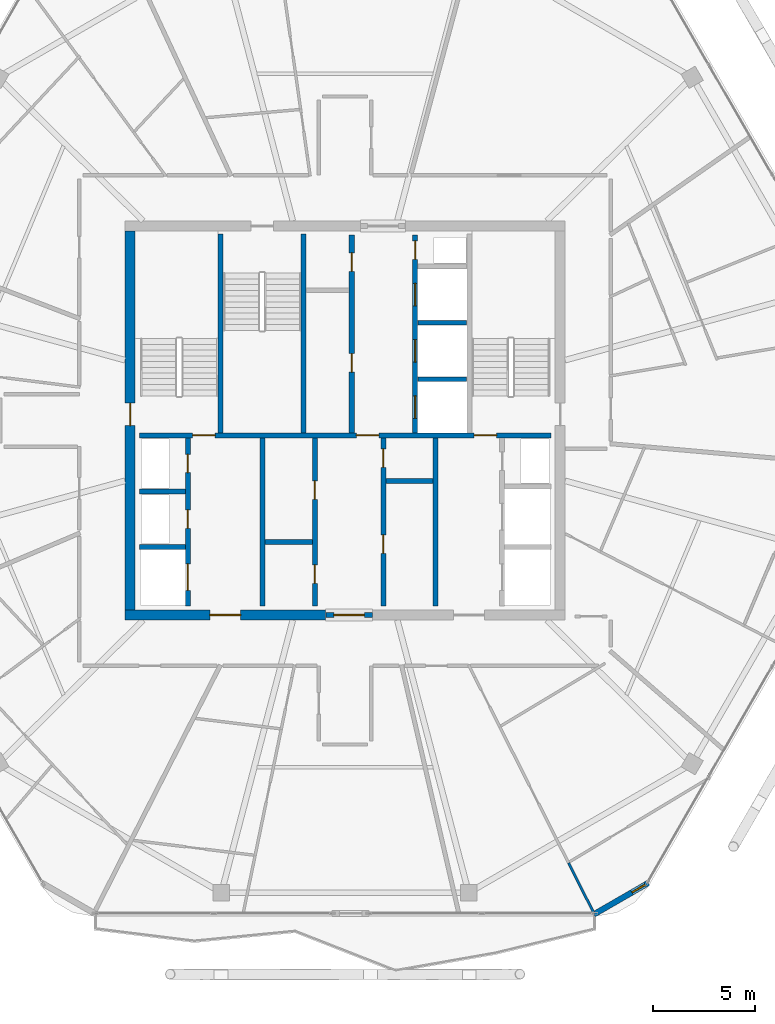
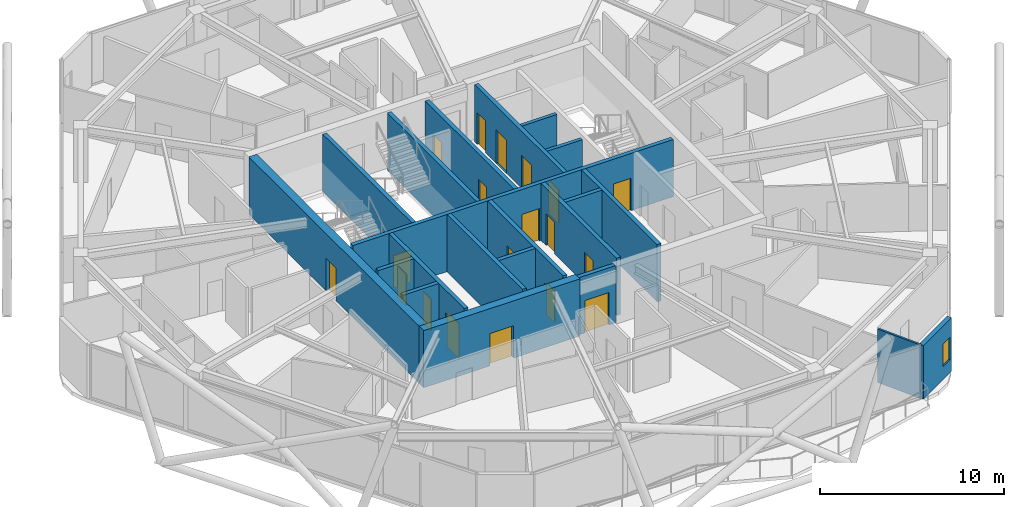
# One storey, part 18 of 23: 21 walls, 19 doors, 1 window, 20 openings.
"""IFC4 building model written with IfcOpenShell, lengths in metres."""

from ifc_helpers import new_model, si_unit, direction, frame, frame_2d, origin, place, context, subcontext, project, spatial, rectangle, extrude, material, layer, layer_set, type_object, element, fill, save


model = new_model("IFC4")

# Units and contexts
model_context = context("Model", 3, precision=1e-05, world=origin(), true_north=direction((0.0, 1.0)))
body_context = subcontext(model_context, "Body", "Model", "MODEL_VIEW")
ifc_project = project(units=[si_unit("LENGTHUNIT", "METRE"), si_unit("AREAUNIT", "SQUARE_METRE"), si_unit("VOLUMEUNIT", "CUBIC_METRE"), si_unit("PLANEANGLEUNIT", "RADIAN"), si_unit("MASSUNIT", "GRAM", prefix="KILO")], contexts=[model_context])

# Site, building, storey
site_placement = place(None, origin())
site = spatial("IfcSite", under=ifc_project, at=site_placement, CompositionType="ELEMENT")
building_placement = place(site_placement, origin())
building = spatial("IfcBuilding", under=site, at=building_placement, Name="Zuhravey Tower", CompositionType="ELEMENT")
storey_placement = place(building_placement, frame((0.0, 0.0, 323.39990234375)))
storey = spatial("IfcBuildingStorey", under=building, at=storey_placement, Name="L82", CompositionType="ELEMENT", Elevation=323.39990234375)

# Wall, opening, door
ifc_material_1 = material(Name="Concrete C50/60", Category="concrete")
ifc_layer_1 = layer(ifc_material_1, 0.5)
ifc_layer_set_1 = layer_set([ifc_layer_1], Name="Concrete C50/60")
wall_type_1 = type_object("IfcWallType", Name="Core Shear Wall 500", PredefinedType="SHEAR", material=ifc_layer_set_1)
wall_1_placement = place(storey_placement, frame((25.25, 22.5, 0.0), z_axis=(0.0, 0.0, 1.0), x_axis=(1.0, 0.0, 0.0)))
wall_1 = element("IfcWall", 1, at=wall_1_placement, inside=storey, type_object=wall_type_1, Name="L82 South-West Core Shear Wall CW50", PredefinedType="SHEAR", context=body_context, shape_type="SweptSolid", body=[
    extrude(rectangle(XDim=9.800048828125, YDim=0.5, at=frame_2d((4.89990234375, 0.0))), origin(), (0.0, 0.0, 1.0), 3.800048828125),
])
opening_1_placement = place(wall_1_placement, frame((4.14990234375, 0.0, 0.0)))
opening_1 = element("IfcOpeningElement", 2, at=opening_1_placement, cuts=wall_1, Name="Opening FFD1", PredefinedType="OPENING", context=body_context, shape_type="SweptSolid", body=[
    extrude(rectangle(XDim=1.5, YDim=2.14990234375, at=frame_2d((0.75, 1.074951171875))), frame((0.0, 0.261962890625, 0.0), z_axis=(0.0, -1.0, 0.0), x_axis=(1.0, 0.0, 0.0)), (0.0, 0.0, 1.0), 0.52392578125),
])
ifc_material_2 = material(Name="Galvanised fire-rated steel leaf", Category="steel")
door_type_1 = type_object("IfcDoorType", Name="Firefighting Lobby Double Door 1500x2150", OperationType="DOUBLE_DOOR_SINGLE_SWING", PredefinedType="DOOR", material=ifc_material_2)
door_1_placement = place(opening_1_placement, origin())
door_1 = element("IfcDoor", 3, at=door_1_placement, inside=storey, type_object=door_type_1, Name="L82 Firefighting Lobby West Door", OperationType="DOUBLE_DOOR_SINGLE_SWING", OverallHeight=2.14990234375, OverallWidth=1.5, PredefinedType="DOOR", context=body_context, shape_type="SweptSolid", body=[
    extrude(rectangle(XDim=1.5, YDim=2.14990234375, at=frame_2d((0.75, 1.074951171875))), frame((0.0, 0.02490234375, 0.0), z_axis=(0.0, -1.0, 0.0), x_axis=(1.0, 0.0, 0.0)), (0.0, 0.0, 1.0), 0.050048828125),
])
fill(opening_1, door_1)

wall_2_placement = place(storey_placement, frame((25.5, 22.75, 0.0), z_axis=(0.0, 0.0, 1.0), x_axis=(0.0, 1.0, 0.0)))
wall_2 = element("IfcWall", 4, at=wall_2_placement, inside=storey, type_object=wall_type_1, Name="L82 West Core Shear Wall CW50", PredefinedType="SHEAR", context=body_context, shape_type="SweptSolid", body=[
    extrude(rectangle(XDim=18.5, YDim=0.5, at=frame_2d((9.25, 0.0))), origin(), (0.0, 0.0, 1.0), 3.800048828125),
])
opening_2_placement = place(wall_2_placement, frame((9.0, 0.0, 0.0)))
opening_2 = element("IfcOpeningElement", 5, at=opening_2_placement, cuts=wall_2, Name="Opening STD1", PredefinedType="OPENING", context=body_context, shape_type="SweptSolid", body=[
    extrude(rectangle(XDim=1.10009765625, YDim=2.14990234375, at=frame_2d((0.550048828125, 1.074951171875))), frame((0.0, 0.261962890625, 0.0), z_axis=(0.0, -1.0, 0.0), x_axis=(1.0, 0.0, 0.0)), (0.0, 0.0, 1.0), 0.52392578125),
])
door_type_2 = type_object("IfcDoorType", Name="Protected Stair Fire Door 1100x2150", OperationType="NOTDEFINED", PredefinedType="USERDEFINED", material=ifc_material_2)
door_2_placement = place(opening_2_placement, frame((1.10009765625, 0.0, 0.0), z_axis=(0.0, 0.0, 1.0), x_axis=(-1.0, 0.0, 0.0)))
door_2 = element("IfcDoor", 6, at=door_2_placement, inside=storey, type_object=door_type_2, Name="L82 Stair ST1 Door", ObjectType="EXITDOOR", OperationType="SINGLE_SWING_LEFT", OverallHeight=2.14990234375, OverallWidth=1.10009765625, PredefinedType="USERDEFINED", context=body_context, shape_type="SweptSolid", body=[
    extrude(rectangle(XDim=1.10009765625, YDim=2.14990234375, at=frame_2d((0.550048828125, 1.074951171875))), frame((0.0, 0.02490234375, 0.0), z_axis=(0.0, -1.0, 0.0), x_axis=(1.0, 0.0, 0.0)), (0.0, 0.0, 1.0), 0.050048828125),
])
fill(opening_2, door_2)

# Wall, opening, window
ifc_material_3 = material(Name="Precast concrete C40/50", Category="concrete")
ifc_layer_2 = layer(ifc_material_3, 0.280029296875)
ifc_layer_set_2 = layer_set([ifc_layer_2], Name="Precast concrete C40/50")
wall_type_2 = type_object("IfcWallType", Name="Crown Architectural Wall 280", PredefinedType="SOLIDWALL", material=ifc_layer_set_2)
wall_3_placement = place(storey_placement, frame((50.811279296875, 9.410888671875, 0.0), z_axis=(0.0, 0.0, 1.0), x_axis=(-0.866023752521, -0.50000286006, 0.0)))
wall_3 = element("IfcWall", 7, at=wall_3_placement, inside=storey, type_object=wall_type_2, Name="L82 Rounded Corner Closure Wall EW28-02", PredefinedType="SOLIDWALL", context=body_context, shape_type="SweptSolid", body=[
    extrude(rectangle(XDim=3.06494140625, YDim=0.280029296875, at=frame_2d((1.532470703125, 0.0))), origin(), (0.0, 0.0, 1.0), 3.550048828125),
])
opening_3_placement = place(wall_3_placement, frame((0.1728515625, 0.0, 0.85009765625)))
opening_3 = element("IfcOpeningElement", 8, at=opening_3_placement, cuts=wall_3, Name="Opening WN5", PredefinedType="OPENING", context=body_context, shape_type="SweptSolid", body=[
    extrude(rectangle(XDim=0.75, YDim=1.5, at=frame_2d((0.375, 0.75))), frame((0.0, 0.152099609375, 0.0), z_axis=(0.0, -1.0, 0.0), x_axis=(1.0, 0.0, 0.0)), (0.0, 0.0, 1.0), 0.303955078125),
])
ifc_material_4 = material(Name="Thermally broken aluminium and triple low-E glass", Category="aluminium")
window_type = type_object("IfcWindowType", Name="Residential Corner Casement Window 750x1500", PartitioningType="SINGLE_PANEL", PredefinedType="WINDOW", material=ifc_material_4)
window_placement = place(opening_3_placement, origin())
window = element("IfcWindow", 9, at=window_placement, inside=storey, type_object=window_type, Name="L82 Corner Casement Window WN5-02.1", OverallHeight=1.5, OverallWidth=0.75, PartitioningType="SINGLE_PANEL", PredefinedType="WINDOW", context=body_context, shape_type="SweptSolid", body=[
    extrude(rectangle(XDim=0.75, YDim=1.5, at=frame_2d((0.375, 0.75))), frame((0.0, 0.030029296875, 0.0), z_axis=(0.0, -1.0, 0.0), x_axis=(1.0, 0.0, 0.0)), (0.0, 0.0, 1.0), 0.06005859375),
])
fill(opening_3, window)

# Wall, opening, door
ifc_layer_3 = layer(ifc_material_1, 0.25)
ifc_layer_set_3 = layer_set([ifc_layer_3], Name="Concrete C50/60")
wall_type_3 = type_object("IfcWallType", Name="Firefighting Shaft & Stair Wall 250", PredefinedType="SOLIDWALL", material=ifc_layer_set_3)
wall_4_placement = place(storey_placement, frame((35.06005859375, 22.5, 0.0), z_axis=(0.0, 0.0, 1.0), x_axis=(1.0, 0.0, 0.0)))
wall_4 = element("IfcWall", 10, at=wall_4_placement, inside=storey, type_object=wall_type_3, Name="L82 FW25 Shaft Wall 001", PredefinedType="SOLIDWALL", context=body_context, shape_type="SweptSolid", body=[
    extrude(rectangle(XDim=2.280029296875, YDim=0.25, at=frame_2d((1.14013671875, 0.0))), origin(), (0.0, 0.0, 1.0), 3.800048828125),
])
opening_4_placement = place(wall_4_placement, frame((0.389892578125, 0.0, 0.0)))
opening_4 = element("IfcOpeningElement", 11, at=opening_4_placement, cuts=wall_4, Name="Opening FFD1", PredefinedType="OPENING", context=body_context, shape_type="SweptSolid", body=[
    extrude(rectangle(XDim=1.5, YDim=2.14990234375, at=frame_2d((0.75, 1.074951171875))), frame((0.0, 0.136962890625, 0.0), z_axis=(0.0, -1.0, 0.0), x_axis=(1.0, 0.0, 0.0)), (0.0, 0.0, 1.0), 0.27392578125),
])
door_3_placement = place(opening_4_placement, frame((1.5, 0.0, 0.0), z_axis=(0.0, 0.0, 1.0), x_axis=(-1.0, 0.0, 0.0)))
door_3 = element("IfcDoor", 12, at=door_3_placement, inside=storey, type_object=door_type_1, Name="L82 South Lift Lobby Exit Door", OperationType="DOUBLE_DOOR_SINGLE_SWING", OverallHeight=2.14990234375, OverallWidth=1.5, PredefinedType="DOOR", context=body_context, shape_type="SweptSolid", body=[
    extrude(rectangle(XDim=1.5, YDim=2.14990234375, at=frame_2d((0.75, 1.074951171875))), frame((0.0, 0.02490234375, 0.0), z_axis=(0.0, -1.0, 0.0), x_axis=(1.0, 0.0, 0.0)), (0.0, 0.0, 1.0), 0.050048828125),
])
fill(opening_4, door_3)

# Wall, openings, doors
wall_5_placement = place(storey_placement, frame((25.949951171875, 31.27490234375, 0.0), z_axis=(0.0, 0.0, 1.0), x_axis=(1.0, 0.0, 0.0)))
wall_5 = element("IfcWall", 13, at=wall_5_placement, inside=storey, type_object=wall_type_3, Name="L82 FW25 Shaft Wall 003", PredefinedType="SOLIDWALL", context=body_context, shape_type="SweptSolid", body=[
    extrude(rectangle(XDim=20.10009765625, YDim=0.25, at=frame_2d((10.050048828125, 0.0))), origin(), (0.0, 0.0, 1.0), 3.800048828125),
])
opening_5_placement = place(wall_5_placement, frame((2.60009765625, 0.0, 0.0)))
opening_5 = element("IfcOpeningElement", 14, at=opening_5_placement, cuts=wall_5, Name="Opening STD1", PredefinedType="OPENING", context=body_context, shape_type="SweptSolid", body=[
    extrude(rectangle(XDim=1.10009765625, YDim=2.14990234375, at=frame_2d((0.550048828125, 1.074951171875))), frame((0.0, 0.136962890625, 0.0), z_axis=(0.0, -1.0, 0.0), x_axis=(1.0, 0.0, 0.0)), (0.0, 0.0, 1.0), 0.27392578125),
])
opening_6_placement = place(wall_5_placement, frame((10.60009765625, 0.0, 0.0)))
opening_6 = element("IfcOpeningElement", 15, at=opening_6_placement, cuts=wall_5, Name="Opening STD1", PredefinedType="OPENING", context=body_context, shape_type="SweptSolid", body=[
    extrude(rectangle(XDim=1.10009765625, YDim=2.14990234375, at=frame_2d((0.550048828125, 1.074951171875))), frame((0.0, 0.136962890625, 0.0), z_axis=(0.0, -1.0, 0.0), x_axis=(1.0, 0.0, 0.0)), (0.0, 0.0, 1.0), 0.27392578125),
])
opening_7_placement = place(wall_5_placement, frame((16.35009765625, 0.0, 0.0)))
opening_7 = element("IfcOpeningElement", 16, at=opening_7_placement, cuts=wall_5, Name="Opening STD1", PredefinedType="OPENING", context=body_context, shape_type="SweptSolid", body=[
    extrude(rectangle(XDim=1.10009765625, YDim=2.14990234375, at=frame_2d((0.550048828125, 1.074951171875))), frame((0.0, 0.136962890625, 0.0), z_axis=(0.0, -1.0, 0.0), x_axis=(1.0, 0.0, 0.0)), (0.0, 0.0, 1.0), 0.27392578125),
])
door_4_placement = place(opening_5_placement, origin())
door_4 = element("IfcDoor", 17, at=door_4_placement, inside=storey, type_object=door_type_2, Name="L82 FFL-W to ST1 Door", ObjectType="EXITDOOR", OperationType="SINGLE_SWING_RIGHT", OverallHeight=2.14990234375, OverallWidth=1.10009765625, PredefinedType="USERDEFINED", context=body_context, shape_type="SweptSolid", body=[
    extrude(rectangle(XDim=1.10009765625, YDim=2.14990234375, at=frame_2d((0.550048828125, 1.074951171875))), frame((0.0, 0.02490234375, 0.0), z_axis=(0.0, -1.0, 0.0), x_axis=(1.0, 0.0, 0.0)), (0.0, 0.0, 1.0), 0.050048828125),
])
fill(opening_5, door_4)
door_5_placement = place(opening_6_placement, origin())
door_5 = element("IfcDoor", 18, at=door_5_placement, inside=storey, type_object=door_type_2, Name="L82 Core Lobby Link Door", ObjectType="EXITDOOR", OperationType="SINGLE_SWING_LEFT", OverallHeight=2.14990234375, OverallWidth=1.10009765625, PredefinedType="USERDEFINED", context=body_context, shape_type="SweptSolid", body=[
    extrude(rectangle(XDim=1.10009765625, YDim=2.14990234375, at=frame_2d((0.550048828125, 1.074951171875))), frame((0.0, 0.02490234375, 0.0), z_axis=(0.0, -1.0, 0.0), x_axis=(1.0, 0.0, 0.0)), (0.0, 0.0, 1.0), 0.050048828125),
])
fill(opening_6, door_5)
door_6_placement = place(opening_7_placement, origin())
door_6 = element("IfcDoor", 19, at=door_6_placement, inside=storey, type_object=door_type_2, Name="L82 FFL-E to ST2 Door", ObjectType="EXITDOOR", OperationType="SINGLE_SWING_RIGHT", OverallHeight=2.14990234375, OverallWidth=1.10009765625, PredefinedType="USERDEFINED", context=body_context, shape_type="SweptSolid", body=[
    extrude(rectangle(XDim=1.10009765625, YDim=2.14990234375, at=frame_2d((0.550048828125, 1.074951171875))), frame((0.0, 0.02490234375, 0.0), z_axis=(0.0, -1.0, 0.0), x_axis=(1.0, 0.0, 0.0)), (0.0, 0.0, 1.0), 0.050048828125),
])
fill(opening_7, door_6)

# Walls
for number, where, z_axis, x_axis, name in (
    (20, (29.925048828125, 31.39990234375, 0.0), (0.0, 0.0, 1.0), (0.0, 1.0, 0.0), "L82 FW25 Shaft Wall 004"),
    (21, (33.97509765625, 31.39990234375, 0.0), (0.0, 0.0, 1.0), (0.0, 1.0, 0.0), "L82 FW25 Shaft Wall 005"),
):
    element("IfcWall", number, at=place(storey_placement, frame(where, z_axis=z_axis, x_axis=x_axis)), inside=storey, type_object=wall_type_3, Name=name, PredefinedType="SOLIDWALL", context=body_context, shape_type="SweptSolid", body=[
        extrude(rectangle(XDim=9.7001953125, YDim=0.25, at=frame_2d((4.85009765625, 0.0))), origin(), (0.0, 0.0, 1.0), 3.800048828125),
    ])

# Wall, openings, doors
wall_6_placement = place(storey_placement, frame((36.324951171875, 31.39990234375, 0.0), z_axis=(0.0, 0.0, 1.0), x_axis=(0.0, 1.0, 0.0)))
wall_6 = element("IfcWall", 22, at=wall_6_placement, inside=storey, type_object=wall_type_3, Name="L82 FW25 Shaft Wall 007", PredefinedType="SOLIDWALL", context=body_context, shape_type="SweptSolid", body=[
    extrude(rectangle(XDim=9.650146484375, YDim=0.25, at=frame_2d((4.8251953125, 0.0))), origin(), (0.0, 0.0, 1.0), 3.800048828125),
])
opening_8_placement = place(wall_6_placement, frame((2.965087890625, 0.0, 0.0)))
opening_8 = element("IfcOpeningElement", 23, at=opening_8_placement, cuts=wall_6, Name="Opening RSD1", PredefinedType="OPENING", context=body_context, shape_type="SweptSolid", body=[
    extrude(rectangle(XDim=0.89990234375, YDim=2.10009765625, at=frame_2d((0.449951171875, 1.050048828125))), frame((0.0, 0.136962890625, 0.0), z_axis=(0.0, -1.0, 0.0), x_axis=(1.0, 0.0, 0.0)), (0.0, 0.0, 1.0), 0.27392578125),
])
opening_9_placement = place(wall_6_placement, frame((7.885009765625, 0.0, 0.0)))
opening_9 = element("IfcOpeningElement", 24, at=opening_9_placement, cuts=wall_6, Name="Opening RSD1", PredefinedType="OPENING", context=body_context, shape_type="SweptSolid", body=[
    extrude(rectangle(XDim=0.89990234375, YDim=2.10009765625, at=frame_2d((0.449951171875, 1.050048828125))), frame((0.0, 0.136962890625, 0.0), z_axis=(0.0, -1.0, 0.0), x_axis=(1.0, 0.0, 0.0)), (0.0, 0.0, 1.0), 0.27392578125),
])
ifc_material_5 = material(Name="Galvanised fire-rated steel access leaf", Category="steel")
door_type_3 = type_object("IfcDoorType", Name="Riser & Shaft Access Fire Door 900x2100", OperationType="NOTDEFINED", PredefinedType="DOOR", material=ifc_material_5)
door_7_placement = place(opening_8_placement, origin())
door_7 = element("IfcDoor", 25, at=door_7_placement, inside=storey, type_object=door_type_3, Name="L82 Equipment and Refuse Store Door", OperationType="SINGLE_SWING_LEFT", OverallHeight=2.10009765625, OverallWidth=0.89990234375, PredefinedType="DOOR", context=body_context, shape_type="SweptSolid", body=[
    extrude(rectangle(XDim=0.89990234375, YDim=2.10009765625, at=frame_2d((0.449951171875, 1.050048828125))), frame((0.0, 0.02490234375, 0.0), z_axis=(0.0, -1.0, 0.0), x_axis=(1.0, 0.0, 0.0)), (0.0, 0.0, 1.0), 0.050048828125),
])
fill(opening_8, door_7)
door_8_placement = place(opening_9_placement, origin())
door_8 = element("IfcDoor", 26, at=door_8_placement, inside=storey, type_object=door_type_3, Name="L82 BMS Control Room Door", OperationType="SINGLE_SWING_RIGHT", OverallHeight=2.10009765625, OverallWidth=0.89990234375, PredefinedType="DOOR", context=body_context, shape_type="SweptSolid", body=[
    extrude(rectangle(XDim=0.89990234375, YDim=2.10009765625, at=frame_2d((0.449951171875, 1.050048828125))), frame((0.0, 0.02490234375, 0.0), z_axis=(0.0, -1.0, 0.0), x_axis=(1.0, 0.0, 0.0)), (0.0, 0.0, 1.0), 0.050048828125),
])
fill(opening_9, door_8)

wall_7_placement = place(storey_placement, frame((39.425048828125, 31.39990234375, 0.0), z_axis=(0.0, 0.0, 1.0), x_axis=(0.0, 1.0, 0.0)))
wall_7 = element("IfcWall", 27, at=wall_7_placement, inside=storey, type_object=wall_type_3, Name="L82 FW25 Shaft Wall 008", PredefinedType="SOLIDWALL", context=body_context, shape_type="SweptSolid", body=[
    extrude(rectangle(XDim=9.650146484375, YDim=0.25, at=frame_2d((4.8251953125, 0.0))), origin(), (0.0, 0.0, 1.0), 3.800048828125),
])
opening_10_placement = place(wall_7_placement, frame((0.699951171875, 0.0, 0.0)))
opening_10 = element("IfcOpeningElement", 28, at=opening_10_placement, cuts=wall_7, Name="Opening LD1", PredefinedType="OPENING", context=body_context, shape_type="SweptSolid", body=[
    extrude(rectangle(XDim=1.10009765625, YDim=2.199951171875, at=frame_2d((0.550048828125, 1.10009765625))), frame((0.0, 0.136962890625, 0.0), z_axis=(0.0, -1.0, 0.0), x_axis=(1.0, 0.0, 0.0)), (0.0, 0.0, 1.0), 0.27392578125),
])
opening_11_placement = place(wall_7_placement, frame((3.449951171875, 0.0, 0.0)))
opening_11 = element("IfcOpeningElement", 29, at=opening_11_placement, cuts=wall_7, Name="Opening LD1", PredefinedType="OPENING", context=body_context, shape_type="SweptSolid", body=[
    extrude(rectangle(XDim=1.10009765625, YDim=2.199951171875, at=frame_2d((0.550048828125, 1.10009765625))), frame((0.0, 0.136962890625, 0.0), z_axis=(0.0, -1.0, 0.0), x_axis=(1.0, 0.0, 0.0)), (0.0, 0.0, 1.0), 0.27392578125),
])
opening_12_placement = place(wall_7_placement, frame((6.199951171875, 0.0, 0.0)))
opening_12 = element("IfcOpeningElement", 30, at=opening_12_placement, cuts=wall_7, Name="Opening LD1", PredefinedType="OPENING", context=body_context, shape_type="SweptSolid", body=[
    extrude(rectangle(XDim=1.10009765625, YDim=2.199951171875, at=frame_2d((0.550048828125, 1.10009765625))), frame((0.0, 0.136962890625, 0.0), z_axis=(0.0, -1.0, 0.0), x_axis=(1.0, 0.0, 0.0)), (0.0, 0.0, 1.0), 0.27392578125),
])
opening_13_placement = place(wall_7_placement, frame((8.469970703125, 0.0, 0.0)))
opening_13 = element("IfcOpeningElement", 31, at=opening_13_placement, cuts=wall_7, Name="Opening RSD1", PredefinedType="OPENING", context=body_context, shape_type="SweptSolid", body=[
    extrude(rectangle(XDim=0.89990234375, YDim=2.10009765625, at=frame_2d((0.449951171875, 1.050048828125))), frame((0.0, 0.136962890625, 0.0), z_axis=(0.0, -1.0, 0.0), x_axis=(1.0, 0.0, 0.0)), (0.0, 0.0, 1.0), 0.27392578125),
])
ifc_material_6 = material(Name="Brushed stainless steel", Category="steel")
door_type_4 = type_object("IfcDoorType", Name="Lift Landing Sliding Door 1100x2200", OperationType="DOUBLE_DOOR_SLIDING", PredefinedType="DOOR", material=ifc_material_6)
door_9_placement = place(opening_10_placement, origin())
door_9 = element("IfcDoor", 32, at=door_9_placement, inside=storey, type_object=door_type_4, Name="L82 Lift PL7 Landing Door", OperationType="DOUBLE_DOOR_SLIDING", OverallHeight=2.199951171875, OverallWidth=1.10009765625, PredefinedType="DOOR", context=body_context, shape_type="SweptSolid", body=[
    extrude(rectangle(XDim=1.10009765625, YDim=2.199951171875, at=frame_2d((0.550048828125, 1.10009765625))), frame((0.0, 0.02490234375, 0.0), z_axis=(0.0, -1.0, 0.0), x_axis=(1.0, 0.0, 0.0)), (0.0, 0.0, 1.0), 0.050048828125),
])
fill(opening_10, door_9)
door_10_placement = place(opening_11_placement, origin())
door_10 = element("IfcDoor", 33, at=door_10_placement, inside=storey, type_object=door_type_4, Name="L82 Lift PL8 Landing Door", OperationType="DOUBLE_DOOR_SLIDING", OverallHeight=2.199951171875, OverallWidth=1.10009765625, PredefinedType="DOOR", context=body_context, shape_type="SweptSolid", body=[
    extrude(rectangle(XDim=1.10009765625, YDim=2.199951171875, at=frame_2d((0.550048828125, 1.10009765625))), frame((0.0, 0.02490234375, 0.0), z_axis=(0.0, -1.0, 0.0), x_axis=(1.0, 0.0, 0.0)), (0.0, 0.0, 1.0), 0.050048828125),
])
fill(opening_11, door_10)
door_11_placement = place(opening_12_placement, origin())
door_11 = element("IfcDoor", 34, at=door_11_placement, inside=storey, type_object=door_type_4, Name="L82 Lift PL9 Landing Door", OperationType="DOUBLE_DOOR_SLIDING", OverallHeight=2.199951171875, OverallWidth=1.10009765625, PredefinedType="DOOR", context=body_context, shape_type="SweptSolid", body=[
    extrude(rectangle(XDim=1.10009765625, YDim=2.199951171875, at=frame_2d((0.550048828125, 1.10009765625))), frame((0.0, 0.02490234375, 0.0), z_axis=(0.0, -1.0, 0.0), x_axis=(1.0, 0.0, 0.0)), (0.0, 0.0, 1.0), 0.050048828125),
])
fill(opening_12, door_11)
door_12_placement = place(opening_13_placement, origin())
door_12 = element("IfcDoor", 35, at=door_12_placement, inside=storey, type_object=door_type_3, Name="L82 North Riser Door", OperationType="SINGLE_SWING_LEFT", OverallHeight=2.10009765625, OverallWidth=0.89990234375, PredefinedType="DOOR", context=body_context, shape_type="SweptSolid", body=[
    extrude(rectangle(XDim=0.89990234375, YDim=2.10009765625, at=frame_2d((0.449951171875, 1.050048828125))), frame((0.0, 0.02490234375, 0.0), z_axis=(0.0, -1.0, 0.0), x_axis=(1.0, 0.0, 0.0)), (0.0, 0.0, 1.0), 0.050048828125),
])
fill(opening_13, door_12)

# Walls
for number, where, z_axis, x_axis, name in (
    (36, (25.949951171875, 25.824951171875, 0.0), (0.0, 0.0, 1.0), (1.0, 0.0, 0.0), "L82 FW25 Shaft Wall 009"),
    (37, (25.949951171875, 28.52490234375, 0.0), (0.0, 0.0, 1.0), (1.0, 0.0, 0.0), "L82 FW25 Shaft Wall 010"),
):
    element("IfcWall", number, at=place(storey_placement, frame(where, z_axis=z_axis, x_axis=x_axis)), inside=storey, type_object=wall_type_3, Name=name, PredefinedType="SOLIDWALL", context=body_context, shape_type="SweptSolid", body=[
        extrude(rectangle(XDim=2.25, YDim=0.25, at=frame_2d((1.125, 0.0))), origin(), (0.0, 0.0, 1.0), 3.800048828125),
    ])

# Wall, openings, doors
wall_8_placement = place(storey_placement, frame((28.324951171875, 22.949951171875, 0.0), z_axis=(0.0, 0.0, 1.0), x_axis=(0.0, 1.0, 0.0)))
wall_8 = element("IfcWall", 38, at=wall_8_placement, inside=storey, type_object=wall_type_3, Name="L82 FW25 Shaft Wall 011", PredefinedType="SOLIDWALL", context=body_context, shape_type="SweptSolid", body=[
    extrude(rectangle(XDim=8.199951171875, YDim=0.25, at=frame_2d((4.10009765625, 0.0))), origin(), (0.0, 0.0, 1.0), 3.800048828125),
])
opening_14_placement = place(wall_8_placement, frame((0.75, 0.0, 0.0)))
opening_14 = element("IfcOpeningElement", 39, at=opening_14_placement, cuts=wall_8, Name="Opening LD2", PredefinedType="OPENING", context=body_context, shape_type="SweptSolid", body=[
    extrude(rectangle(XDim=1.300048828125, YDim=2.300048828125, at=frame_2d((0.64990234375, 1.14990234375))), frame((0.0, 0.136962890625, 0.0), z_axis=(0.0, -1.0, 0.0), x_axis=(1.0, 0.0, 0.0)), (0.0, 0.0, 1.0), 0.27392578125),
])
opening_15_placement = place(wall_8_placement, frame((3.780029296875, 0.0, 0.0)))
opening_15 = element("IfcOpeningElement", 40, at=opening_15_placement, cuts=wall_8, Name="Opening RSD1", PredefinedType="OPENING", context=body_context, shape_type="SweptSolid", body=[
    extrude(rectangle(XDim=0.89990234375, YDim=2.10009765625, at=frame_2d((0.449951171875, 1.050048828125))), frame((0.0, 0.136962890625, 0.0), z_axis=(0.0, -1.0, 0.0), x_axis=(1.0, 0.0, 0.0)), (0.0, 0.0, 1.0), 0.27392578125),
])
opening_16_placement = place(wall_8_placement, frame((6.5, 0.0, 0.0)))
opening_16 = element("IfcOpeningElement", 41, at=opening_16_placement, cuts=wall_8, Name="Opening RSD1", PredefinedType="OPENING", context=body_context, shape_type="SweptSolid", body=[
    extrude(rectangle(XDim=0.89990234375, YDim=2.10009765625, at=frame_2d((0.449951171875, 1.050048828125))), frame((0.0, 0.136962890625, 0.0), z_axis=(0.0, -1.0, 0.0), x_axis=(1.0, 0.0, 0.0)), (0.0, 0.0, 1.0), 0.27392578125),
])
door_type_5 = type_object("IfcDoorType", Name="Freight & Stretcher Lift Sliding Door 1300x2300", OperationType="DOUBLE_DOOR_SLIDING", PredefinedType="DOOR", material=ifc_material_6)
door_13_placement = place(opening_14_placement, frame((1.300048828125, 0.0, 0.0), z_axis=(0.0, 0.0, 1.0), x_axis=(-1.0, 0.0, 0.0)))
door_13 = element("IfcDoor", 42, at=door_13_placement, inside=storey, type_object=door_type_5, Name="L82 Lift FF1 Landing Door", OperationType="DOUBLE_DOOR_SLIDING", OverallHeight=2.300048828125, OverallWidth=1.300048828125, PredefinedType="DOOR", context=body_context, shape_type="SweptSolid", body=[
    extrude(rectangle(XDim=1.300048828125, YDim=2.300048828125, at=frame_2d((0.64990234375, 1.14990234375))), frame((0.0, 0.02490234375, 0.0), z_axis=(0.0, -1.0, 0.0), x_axis=(1.0, 0.0, 0.0)), (0.0, 0.0, 1.0), 0.050048828125),
])
fill(opening_14, door_13)
door_14_placement = place(opening_15_placement, frame((0.89990234375, 0.0, 0.0), z_axis=(0.0, 0.0, 1.0), x_axis=(-1.0, 0.0, 0.0)))
door_14 = element("IfcDoor", 43, at=door_14_placement, inside=storey, type_object=door_type_3, Name="L82 Electrical Riser Door", OperationType="SINGLE_SWING_RIGHT", OverallHeight=2.10009765625, OverallWidth=0.89990234375, PredefinedType="DOOR", context=body_context, shape_type="SweptSolid", body=[
    extrude(rectangle(XDim=0.89990234375, YDim=2.10009765625, at=frame_2d((0.449951171875, 1.050048828125))), frame((0.0, 0.02490234375, 0.0), z_axis=(0.0, -1.0, 0.0), x_axis=(1.0, 0.0, 0.0)), (0.0, 0.0, 1.0), 0.050048828125),
])
fill(opening_15, door_14)
door_15_placement = place(opening_16_placement, frame((0.89990234375, 0.0, 0.0), z_axis=(0.0, 0.0, 1.0), x_axis=(-1.0, 0.0, 0.0)))
door_15 = element("IfcDoor", 44, at=door_15_placement, inside=storey, type_object=door_type_3, Name="L82 Smoke Shaft Access Door", OperationType="SINGLE_SWING_LEFT", OverallHeight=2.10009765625, OverallWidth=0.89990234375, PredefinedType="DOOR", context=body_context, shape_type="SweptSolid", body=[
    extrude(rectangle(XDim=0.89990234375, YDim=2.10009765625, at=frame_2d((0.449951171875, 1.050048828125))), frame((0.0, 0.02490234375, 0.0), z_axis=(0.0, -1.0, 0.0), x_axis=(1.0, 0.0, 0.0)), (0.0, 0.0, 1.0), 0.050048828125),
])
fill(opening_16, door_15)

# Walls
wall_9_placement = place(storey_placement, frame((31.97509765625, 22.949951171875, 0.0), z_axis=(0.0, 0.0, 1.0), x_axis=(0.0, 1.0, 0.0)))
element("IfcWall", 45, at=wall_9_placement, inside=storey, type_object=wall_type_3, Name="L82 FW25 Shaft Wall 012", PredefinedType="SOLIDWALL", context=body_context, shape_type="SweptSolid", body=[
    extrude(rectangle(XDim=8.199951171875, YDim=0.25, at=frame_2d((4.10009765625, 0.0))), origin(), (0.0, 0.0, 1.0), 3.800048828125),
])
wall_10_placement = place(storey_placement, frame((32.10009765625, 26.074951171875, 0.0), z_axis=(0.0, 0.0, 1.0), x_axis=(1.0, 0.0, 0.0)))
element("IfcWall", 46, at=wall_10_placement, inside=storey, type_object=wall_type_3, Name="L82 FW25 Shaft Wall 013", PredefinedType="SOLIDWALL", context=body_context, shape_type="SweptSolid", body=[
    extrude(rectangle(XDim=2.2998046875, YDim=0.25, at=frame_2d((1.14990234375, 0.0))), origin(), (0.0, 0.0, 1.0), 3.800048828125),
])

# Wall, openings, doors
wall_11_placement = place(storey_placement, frame((34.52490234375, 22.949951171875, 0.0), z_axis=(0.0, 0.0, 1.0), x_axis=(0.0, 1.0, 0.0)))
wall_11 = element("IfcWall", 47, at=wall_11_placement, inside=storey, type_object=wall_type_3, Name="L82 FW25 Shaft Wall 014", PredefinedType="SOLIDWALL", context=body_context, shape_type="SweptSolid", body=[
    extrude(rectangle(XDim=8.199951171875, YDim=0.25, at=frame_2d((4.10009765625, 0.0))), origin(), (0.0, 0.0, 1.0), 3.800048828125),
])
opening_17_placement = place(wall_11_placement, frame((1.10009765625, 0.0, 0.0)))
opening_17 = element("IfcOpeningElement", 48, at=opening_17_placement, cuts=wall_11, Name="Opening RSD1", PredefinedType="OPENING", context=body_context, shape_type="SweptSolid", body=[
    extrude(rectangle(XDim=0.89990234375, YDim=2.10009765625, at=frame_2d((0.449951171875, 1.050048828125))), frame((0.0, 0.136962890625, 0.0), z_axis=(0.0, -1.0, 0.0), x_axis=(1.0, 0.0, 0.0)), (0.0, 0.0, 1.0), 0.27392578125),
])
opening_18_placement = place(wall_11_placement, frame((5.199951171875, 0.0, 0.0)))
opening_18 = element("IfcOpeningElement", 49, at=opening_18_placement, cuts=wall_11, Name="Opening RSD1", PredefinedType="OPENING", context=body_context, shape_type="SweptSolid", body=[
    extrude(rectangle(XDim=0.89990234375, YDim=2.10009765625, at=frame_2d((0.449951171875, 1.050048828125))), frame((0.0, 0.136962890625, 0.0), z_axis=(0.0, -1.0, 0.0), x_axis=(1.0, 0.0, 0.0)), (0.0, 0.0, 1.0), 0.27392578125),
])
door_16_placement = place(opening_17_placement, origin())
door_16 = element("IfcDoor", 50, at=door_16_placement, inside=storey, type_object=door_type_3, Name="L82 Metering Room Door", OperationType="SINGLE_SWING_RIGHT", OverallHeight=2.10009765625, OverallWidth=0.89990234375, PredefinedType="DOOR", context=body_context, shape_type="SweptSolid", body=[
    extrude(rectangle(XDim=0.89990234375, YDim=2.10009765625, at=frame_2d((0.449951171875, 1.050048828125))), frame((0.0, 0.02490234375, 0.0), z_axis=(0.0, -1.0, 0.0), x_axis=(1.0, 0.0, 0.0)), (0.0, 0.0, 1.0), 0.050048828125),
])
fill(opening_17, door_16)
door_17_placement = place(opening_18_placement, origin())
door_17 = element("IfcDoor", 51, at=door_17_placement, inside=storey, type_object=door_type_3, Name="L82 Housekeeping Supply Door", OperationType="SINGLE_SWING_LEFT", OverallHeight=2.10009765625, OverallWidth=0.89990234375, PredefinedType="DOOR", context=body_context, shape_type="SweptSolid", body=[
    extrude(rectangle(XDim=0.89990234375, YDim=2.10009765625, at=frame_2d((0.449951171875, 1.050048828125))), frame((0.0, 0.02490234375, 0.0), z_axis=(0.0, -1.0, 0.0), x_axis=(1.0, 0.0, 0.0)), (0.0, 0.0, 1.0), 0.050048828125),
])
fill(opening_18, door_17)

# Wall
wall_12_placement = place(storey_placement, frame((38.0, 29.050048828125, 0.0), z_axis=(0.0, 0.0, 1.0), x_axis=(1.0, 0.0, 0.0)))
element("IfcWall", 52, at=wall_12_placement, inside=storey, type_object=wall_type_3, Name="L82 FW25 Shaft Wall 015", PredefinedType="SOLIDWALL", context=body_context, shape_type="SweptSolid", body=[
    extrude(rectangle(XDim=2.300048828125, YDim=0.25, at=frame_2d((1.14990234375, 0.0))), origin(), (0.0, 0.0, 1.0), 3.800048828125),
])

# Wall, openings, doors
wall_13_placement = place(storey_placement, frame((37.875, 22.949951171875, 0.0), z_axis=(0.0, 0.0, 1.0), x_axis=(0.0, 1.0, 0.0)))
wall_13 = element("IfcWall", 53, at=wall_13_placement, inside=storey, type_object=wall_type_3, Name="L82 FW25 Shaft Wall 016", PredefinedType="SOLIDWALL", context=body_context, shape_type="SweptSolid", body=[
    extrude(rectangle(XDim=8.199951171875, YDim=0.25, at=frame_2d((4.10009765625, 0.0))), origin(), (0.0, 0.0, 1.0), 3.800048828125),
])
opening_19_placement = place(wall_13_placement, frame((2.5625, 0.0, 0.0)))
opening_19 = element("IfcOpeningElement", 54, at=opening_19_placement, cuts=wall_13, Name="Opening RSD1", PredefinedType="OPENING", context=body_context, shape_type="SweptSolid", body=[
    extrude(rectangle(XDim=0.89990234375, YDim=2.10009765625, at=frame_2d((0.449951171875, 1.050048828125))), frame((0.0, 0.136962890625, 0.0), z_axis=(0.0, -1.0, 0.0), x_axis=(1.0, 0.0, 0.0)), (0.0, 0.0, 1.0), 0.27392578125),
])
opening_20_placement = place(wall_13_placement, frame((6.762451171875, 0.0, 0.0)))
opening_20 = element("IfcOpeningElement", 55, at=opening_20_placement, cuts=wall_13, Name="Opening RSD1", PredefinedType="OPENING", context=body_context, shape_type="SweptSolid", body=[
    extrude(rectangle(XDim=0.89990234375, YDim=2.10009765625, at=frame_2d((0.449951171875, 1.050048828125))), frame((0.0, 0.136962890625, 0.0), z_axis=(0.0, -1.0, 0.0), x_axis=(1.0, 0.0, 0.0)), (0.0, 0.0, 1.0), 0.27392578125),
])
door_18_placement = place(opening_19_placement, frame((0.89990234375, 0.0, 0.0), z_axis=(0.0, 0.0, 1.0), x_axis=(-1.0, 0.0, 0.0)))
door_18 = element("IfcDoor", 56, at=door_18_placement, inside=storey, type_object=door_type_3, Name="L82 Trunk Store Door", OperationType="SINGLE_SWING_RIGHT", OverallHeight=2.10009765625, OverallWidth=0.89990234375, PredefinedType="DOOR", context=body_context, shape_type="SweptSolid", body=[
    extrude(rectangle(XDim=0.89990234375, YDim=2.10009765625, at=frame_2d((0.449951171875, 1.050048828125))), frame((0.0, 0.02490234375, 0.0), z_axis=(0.0, -1.0, 0.0), x_axis=(1.0, 0.0, 0.0)), (0.0, 0.0, 1.0), 0.050048828125),
])
fill(opening_19, door_18)
door_19_placement = place(opening_20_placement, frame((0.89990234375, 0.0, 0.0), z_axis=(0.0, 0.0, 1.0), x_axis=(-1.0, 0.0, 0.0)))
door_19 = element("IfcDoor", 57, at=door_19_placement, inside=storey, type_object=door_type_3, Name="L82 Fiber Room Door", OperationType="SINGLE_SWING_LEFT", OverallHeight=2.10009765625, OverallWidth=0.89990234375, PredefinedType="DOOR", context=body_context, shape_type="SweptSolid", body=[
    extrude(rectangle(XDim=0.89990234375, YDim=2.10009765625, at=frame_2d((0.449951171875, 1.050048828125))), frame((0.0, 0.02490234375, 0.0), z_axis=(0.0, -1.0, 0.0), x_axis=(1.0, 0.0, 0.0)), (0.0, 0.0, 1.0), 0.050048828125),
])
fill(opening_20, door_19)

# Walls
wall_14_placement = place(storey_placement, frame((40.425048828125, 22.949951171875, 0.0), z_axis=(0.0, 0.0, 1.0), x_axis=(0.0, 1.0, 0.0)))
element("IfcWall", 58, at=wall_14_placement, inside=storey, type_object=wall_type_3, Name="L82 FW25 Shaft Wall 017", PredefinedType="SOLIDWALL", context=body_context, shape_type="SweptSolid", body=[
    extrude(rectangle(XDim=8.199951171875, YDim=0.25, at=frame_2d((4.10009765625, 0.0))), origin(), (0.0, 0.0, 1.0), 3.800048828125),
])
ifc_material_7 = material(Name="Gypsum acoustic stud assembly")
ifc_layer_4 = layer(ifc_material_7, 0.219970703125)
ifc_layer_set_4 = layer_set([ifc_layer_4], Name="Gypsum acoustic stud assembly")
wall_type_4 = type_object("IfcWallType", Name="School Acoustic Compartment Wall 220", PredefinedType="PARTITIONING", material=ifc_layer_set_4)
for number, where, z_axis, x_axis, name in (
    (59, (39.55810546875, 34.02490234375, 0.0), (0.0, 0.0, 1.0), (1.0, 0.0, 0.0), "L82 IW22 Partition 057"),
    (60, (39.55810546875, 36.77490234375, 0.0), (0.0, 0.0, 1.0), (1.0, 0.0, 0.0), "L82 IW22 Partition 058"),
):
    element("IfcWall", number, at=place(storey_placement, frame(where, z_axis=z_axis, x_axis=x_axis)), inside=storey, type_object=wall_type_4, Name=name, PredefinedType="PARTITIONING", context=body_context, shape_type="SweptSolid", body=[
        extrude(rectangle(XDim=2.3837890625, YDim=0.219970703125, at=frame_2d((1.19189453125, 0.0))), origin(), (0.0, 0.0, 1.0), 3.550048828125),
    ])
ifc_material_8 = material(Name="Gypsum metal-stud partition")
ifc_layer_5 = layer(ifc_material_8, 0.1201171875)
ifc_layer_set_5 = layer_set([ifc_layer_5], Name="Gypsum metal-stud partition")
wall_type_5 = type_object("IfcWallType", Name="Unit Internal Partition 120", PredefinedType="PARTITIONING", material=ifc_layer_set_5)
wall_15_placement = place(storey_placement, frame((46.917724609375, 10.38623046875, 0.0), z_axis=(0.0, 0.0, 1.0), x_axis=(0.450886917931, -0.892581081605, 0.0)))
element("IfcWall", 61, at=wall_15_placement, inside=storey, type_object=wall_type_5, Name="L82 IW12 Partition 077", PredefinedType="PARTITIONING", context=body_context, shape_type="SweptSolid", body=[
    extrude(rectangle(XDim=2.761962890625, YDim=0.1201171875, at=frame_2d((1.380859375, 0.0))), origin(), (0.0, 0.0, 1.0), 3.550048828125),
])

save(model, "model.ifc")
